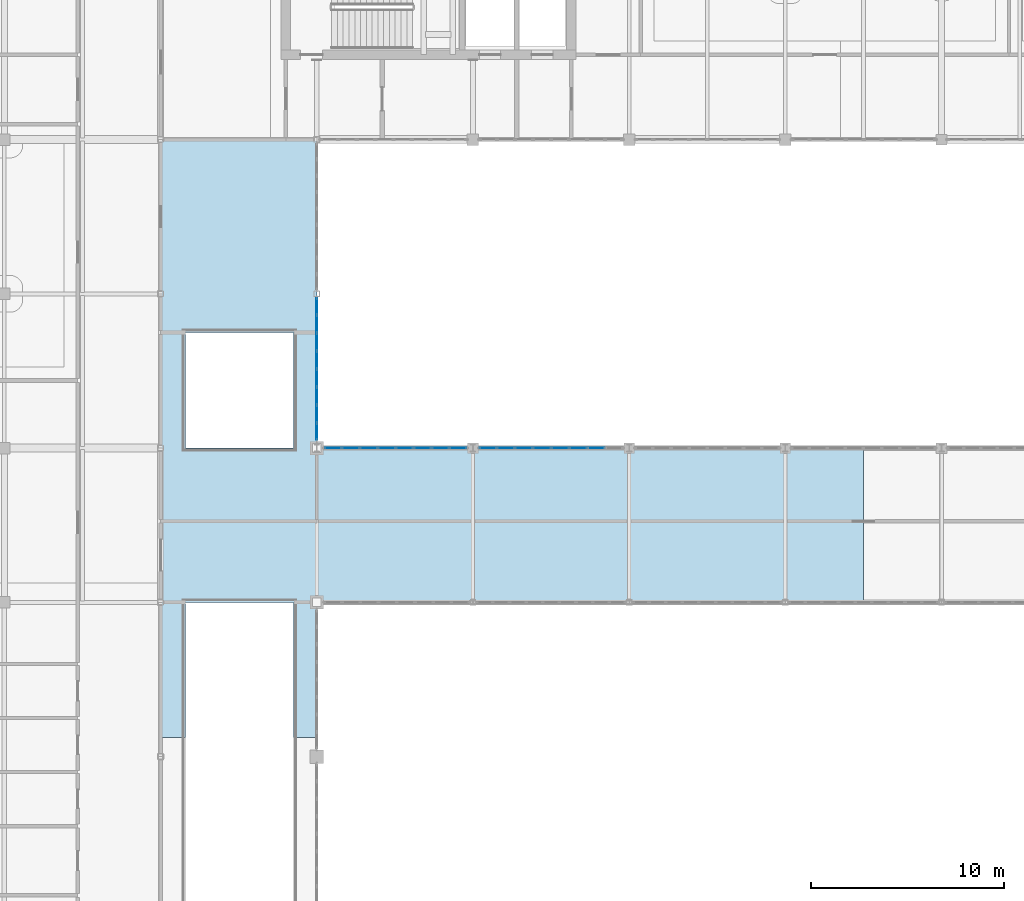
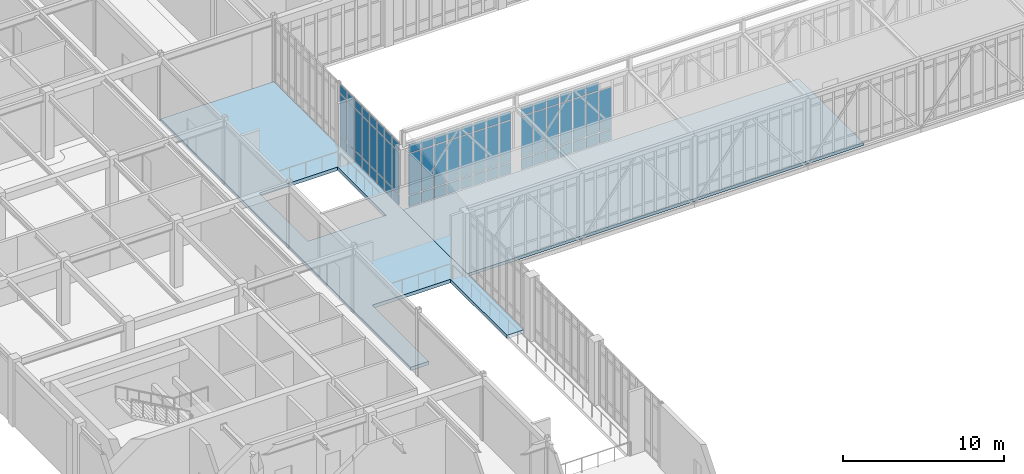
# One storey, part 73 of 107: 68 plates, 2 slabs, 3 elements without a shape of their own.
"""IFC4 building model written with IfcOpenShell, lengths in metres."""

from ifc_helpers import new_model, si_unit, direction, frame, origin, origin_2d, place, context, subcontext, project, spatial, polyline, rectangle, outline, extrude, material, layer, layer_set, type_object, element, aggregate, save


model = new_model("IFC4")

# Units and contexts
model_context = context("Model", 3, precision=1e-05, world=origin(), true_north=direction((0.0, 1.0)))
body_context = subcontext(model_context, "Body", "Model", "MODEL_VIEW")
ifc_project = project(units=[si_unit("LENGTHUNIT", "METRE"), si_unit("AREAUNIT", "SQUARE_METRE"), si_unit("VOLUMEUNIT", "CUBIC_METRE"), si_unit("PLANEANGLEUNIT", "RADIAN"), si_unit("MASSUNIT", "GRAM", prefix="KILO")], contexts=[model_context])

# Site, building, storey
site_placement = place(None, origin())
site = spatial("IfcSite", under=ifc_project, at=site_placement, CompositionType="ELEMENT")
building_placement = place(site_placement, origin())
building = spatial("IfcBuilding", under=site, at=building_placement, Name="Tarnveldt Square Police Headquarters", CompositionType="ELEMENT")
storey_placement = place(building_placement, frame((0.0, 0.0, 14.699951171875)))
storey = spatial("IfcBuildingStorey", under=building, at=storey_placement, Name="L03", CompositionType="ELEMENT", Elevation=14.699951171875)

# Curtain wall, plates
ifc_material_1 = material(Name="Triple-glazed low-e laminated vision glass", Category="glass")
curtain_wall_type_1 = type_object("IfcCurtainWallType", Name="CW-WG-747x484", PredefinedType="USERDEFINED", material=ifc_material_1)
curtain_wall_1_placement = place(storey_placement, origin())
curtain_wall_1 = element("IfcCurtainWall", 1, at=curtain_wall_1_placement, inside=storey, type_object=curtain_wall_type_1, Name="L03 Curtain Wall CW-L03-081", ObjectType="GLAZED CURTAIN WALL", PredefinedType="USERDEFINED")
ifc_layer_1 = layer(ifc_material_1, 0.028076171875)
ifc_layer_set_1 = layer_set([ifc_layer_1], Name="Triple-glazed low-e laminated vision glass")
plate_type = type_object("IfcPlateType", Name="CWP-VIS-28", PredefinedType="CURTAIN_PANEL", material=ifc_layer_set_1)
plate_1_placement = place(storey_placement, frame((48.60009765625, 80.8505859375, 0.074951171875), z_axis=(0.0, 0.0, 1.0), x_axis=(0.0, 1.0, 0.0)))
plate_1 = element("IfcPlate", 2, at=plate_1_placement, type_object=plate_type, Name="CW-WG38 panel 1.1", PredefinedType="CURTAIN_PANEL", context=body_context, shape_type="SweptSolid", body=[
    extrude(rectangle(XDim=0.821044921875, YDim=0.028076171875, at=origin_2d()), origin(), (0.0, 0.0, 1.0), 0.78759765625),
])
plate_2_placement = place(storey_placement, frame((48.60009765625, 80.8505859375, 0.9375), z_axis=(0.0, 0.0, 1.0), x_axis=(0.0, 1.0, 0.0)))
plate_2 = element("IfcPlate", 3, at=plate_2_placement, type_object=plate_type, Name="CW-WG38 panel 1.2", PredefinedType="CURTAIN_PANEL", context=body_context, shape_type="SweptSolid", body=[
    extrude(rectangle(XDim=0.821044921875, YDim=0.028076171875, at=origin_2d()), origin(), (0.0, 0.0, 1.0), 3.114990234375),
])
plate_3_placement = place(storey_placement, frame((48.60009765625, 80.8505859375, 4.12744140625), z_axis=(0.0, 0.0, 1.0), x_axis=(0.0, 1.0, 0.0)))
plate_3 = element("IfcPlate", 4, at=plate_3_placement, type_object=plate_type, Name="CW-WG38 panel 1.3", PredefinedType="CURTAIN_PANEL", context=body_context, shape_type="SweptSolid", body=[
    extrude(rectangle(XDim=0.821044921875, YDim=0.028076171875, at=origin_2d()), origin(), (0.0, 0.0, 1.0), 0.637451171875),
])
plate_4_placement = place(storey_placement, frame((48.60009765625, 81.76513671875, 0.074951171875), z_axis=(0.0, 0.0, 1.0), x_axis=(0.0, 1.0, 0.0)))
plate_4 = element("IfcPlate", 5, at=plate_4_placement, type_object=plate_type, Name="CW-WG38 panel 2.1", PredefinedType="CURTAIN_PANEL", context=body_context, shape_type="SweptSolid", body=[
    extrude(rectangle(XDim=0.8583984375, YDim=0.028076171875, at=origin_2d()), origin(), (0.0, 0.0, 1.0), 0.78759765625),
])
plate_5_placement = place(storey_placement, frame((48.60009765625, 81.76513671875, 0.9375), z_axis=(0.0, 0.0, 1.0), x_axis=(0.0, 1.0, 0.0)))
plate_5 = element("IfcPlate", 6, at=plate_5_placement, type_object=plate_type, Name="CW-WG38 panel 2.2", PredefinedType="CURTAIN_PANEL", context=body_context, shape_type="SweptSolid", body=[
    extrude(rectangle(XDim=0.8583984375, YDim=0.028076171875, at=origin_2d()), origin(), (0.0, 0.0, 1.0), 3.114990234375),
])
plate_6_placement = place(storey_placement, frame((48.60009765625, 81.76513671875, 4.12744140625), z_axis=(0.0, 0.0, 1.0), x_axis=(0.0, 1.0, 0.0)))
plate_6 = element("IfcPlate", 7, at=plate_6_placement, type_object=plate_type, Name="CW-WG38 panel 2.3", PredefinedType="CURTAIN_PANEL", context=body_context, shape_type="SweptSolid", body=[
    extrude(rectangle(XDim=0.8583984375, YDim=0.028076171875, at=origin_2d()), origin(), (0.0, 0.0, 1.0), 0.637451171875),
])
plate_7_placement = place(storey_placement, frame((48.60009765625, 82.69873046875, 0.074951171875), z_axis=(0.0, 0.0, 1.0), x_axis=(0.0, 1.0, 0.0)))
plate_7 = element("IfcPlate", 8, at=plate_7_placement, type_object=plate_type, Name="CW-WG38 panel 3.1", PredefinedType="CURTAIN_PANEL", context=body_context, shape_type="SweptSolid", body=[
    extrude(rectangle(XDim=0.8583984375, YDim=0.028076171875, at=origin_2d()), origin(), (0.0, 0.0, 1.0), 0.78759765625),
])
plate_8_placement = place(storey_placement, frame((48.60009765625, 82.69873046875, 0.9375), z_axis=(0.0, 0.0, 1.0), x_axis=(0.0, 1.0, 0.0)))
plate_8 = element("IfcPlate", 9, at=plate_8_placement, type_object=plate_type, Name="CW-WG38 panel 3.2", PredefinedType="CURTAIN_PANEL", context=body_context, shape_type="SweptSolid", body=[
    extrude(rectangle(XDim=0.8583984375, YDim=0.028076171875, at=origin_2d()), origin(), (0.0, 0.0, 1.0), 3.114990234375),
])
plate_9_placement = place(storey_placement, frame((48.60009765625, 82.69873046875, 4.12744140625), z_axis=(0.0, 0.0, 1.0), x_axis=(0.0, 1.0, 0.0)))
plate_9 = element("IfcPlate", 10, at=plate_9_placement, type_object=plate_type, Name="CW-WG38 panel 3.3", PredefinedType="CURTAIN_PANEL", context=body_context, shape_type="SweptSolid", body=[
    extrude(rectangle(XDim=0.8583984375, YDim=0.028076171875, at=origin_2d()), origin(), (0.0, 0.0, 1.0), 0.637451171875),
])
plate_10_placement = place(storey_placement, frame((48.60009765625, 83.632080078125, 0.074951171875), z_axis=(0.0, 0.0, 1.0), x_axis=(0.0, 1.0, 0.0)))
plate_10 = element("IfcPlate", 11, at=plate_10_placement, type_object=plate_type, Name="CW-WG38 panel 4.1", PredefinedType="CURTAIN_PANEL", context=body_context, shape_type="SweptSolid", body=[
    extrude(rectangle(XDim=0.8583984375, YDim=0.028076171875, at=origin_2d()), origin(), (0.0, 0.0, 1.0), 0.78759765625),
])
plate_11_placement = place(storey_placement, frame((48.60009765625, 83.632080078125, 0.9375), z_axis=(0.0, 0.0, 1.0), x_axis=(0.0, 1.0, 0.0)))
plate_11 = element("IfcPlate", 12, at=plate_11_placement, type_object=plate_type, Name="CW-WG38 panel 4.2", PredefinedType="CURTAIN_PANEL", context=body_context, shape_type="SweptSolid", body=[
    extrude(rectangle(XDim=0.8583984375, YDim=0.028076171875, at=origin_2d()), origin(), (0.0, 0.0, 1.0), 3.114990234375),
])
plate_12_placement = place(storey_placement, frame((48.60009765625, 83.632080078125, 4.12744140625), z_axis=(0.0, 0.0, 1.0), x_axis=(0.0, 1.0, 0.0)))
plate_12 = element("IfcPlate", 13, at=plate_12_placement, type_object=plate_type, Name="CW-WG38 panel 4.3", PredefinedType="CURTAIN_PANEL", context=body_context, shape_type="SweptSolid", body=[
    extrude(rectangle(XDim=0.8583984375, YDim=0.028076171875, at=origin_2d()), origin(), (0.0, 0.0, 1.0), 0.637451171875),
])
plate_13_placement = place(storey_placement, frame((48.60009765625, 84.5654296875, 0.074951171875), z_axis=(0.0, 0.0, 1.0), x_axis=(0.0, 1.0, 0.0)))
plate_13 = element("IfcPlate", 14, at=plate_13_placement, type_object=plate_type, Name="CW-WG38 panel 5.1", PredefinedType="CURTAIN_PANEL", context=body_context, shape_type="SweptSolid", body=[
    extrude(rectangle(XDim=0.8583984375, YDim=0.028076171875, at=origin_2d()), origin(), (0.0, 0.0, 1.0), 0.78759765625),
])
plate_14_placement = place(storey_placement, frame((48.60009765625, 84.5654296875, 0.9375), z_axis=(0.0, 0.0, 1.0), x_axis=(0.0, 1.0, 0.0)))
plate_14 = element("IfcPlate", 15, at=plate_14_placement, type_object=plate_type, Name="CW-WG38 panel 5.2", PredefinedType="CURTAIN_PANEL", context=body_context, shape_type="SweptSolid", body=[
    extrude(rectangle(XDim=0.8583984375, YDim=0.028076171875, at=origin_2d()), origin(), (0.0, 0.0, 1.0), 3.114990234375),
])
plate_15_placement = place(storey_placement, frame((48.60009765625, 84.5654296875, 4.12744140625), z_axis=(0.0, 0.0, 1.0), x_axis=(0.0, 1.0, 0.0)))
plate_15 = element("IfcPlate", 16, at=plate_15_placement, type_object=plate_type, Name="CW-WG38 panel 5.3", PredefinedType="CURTAIN_PANEL", context=body_context, shape_type="SweptSolid", body=[
    extrude(rectangle(XDim=0.8583984375, YDim=0.028076171875, at=origin_2d()), origin(), (0.0, 0.0, 1.0), 0.637451171875),
])
plate_16_placement = place(storey_placement, frame((48.60009765625, 85.4990234375, 0.074951171875), z_axis=(0.0, 0.0, 1.0), x_axis=(0.0, 1.0, 0.0)))
plate_16 = element("IfcPlate", 17, at=plate_16_placement, type_object=plate_type, Name="CW-WG38 panel 6.1", PredefinedType="CURTAIN_PANEL", context=body_context, shape_type="SweptSolid", body=[
    extrude(rectangle(XDim=0.8583984375, YDim=0.028076171875, at=origin_2d()), origin(), (0.0, 0.0, 1.0), 0.78759765625),
])
plate_17_placement = place(storey_placement, frame((48.60009765625, 85.4990234375, 0.9375), z_axis=(0.0, 0.0, 1.0), x_axis=(0.0, 1.0, 0.0)))
plate_17 = element("IfcPlate", 18, at=plate_17_placement, type_object=plate_type, Name="CW-WG38 panel 6.2", PredefinedType="CURTAIN_PANEL", context=body_context, shape_type="SweptSolid", body=[
    extrude(rectangle(XDim=0.8583984375, YDim=0.028076171875, at=origin_2d()), origin(), (0.0, 0.0, 1.0), 3.114990234375),
])
plate_18_placement = place(storey_placement, frame((48.60009765625, 85.4990234375, 4.12744140625), z_axis=(0.0, 0.0, 1.0), x_axis=(0.0, 1.0, 0.0)))
plate_18 = element("IfcPlate", 19, at=plate_18_placement, type_object=plate_type, Name="CW-WG38 panel 6.3", PredefinedType="CURTAIN_PANEL", context=body_context, shape_type="SweptSolid", body=[
    extrude(rectangle(XDim=0.8583984375, YDim=0.028076171875, at=origin_2d()), origin(), (0.0, 0.0, 1.0), 0.637451171875),
])
plate_19_placement = place(storey_placement, frame((48.60009765625, 86.432373046875, 0.074951171875), z_axis=(0.0, 0.0, 1.0), x_axis=(0.0, 1.0, 0.0)))
plate_19 = element("IfcPlate", 20, at=plate_19_placement, type_object=plate_type, Name="CW-WG38 panel 7.1", PredefinedType="CURTAIN_PANEL", context=body_context, shape_type="SweptSolid", body=[
    extrude(rectangle(XDim=0.8583984375, YDim=0.028076171875, at=origin_2d()), origin(), (0.0, 0.0, 1.0), 0.78759765625),
])
plate_20_placement = place(storey_placement, frame((48.60009765625, 86.432373046875, 0.9375), z_axis=(0.0, 0.0, 1.0), x_axis=(0.0, 1.0, 0.0)))
plate_20 = element("IfcPlate", 21, at=plate_20_placement, type_object=plate_type, Name="CW-WG38 panel 7.2", PredefinedType="CURTAIN_PANEL", context=body_context, shape_type="SweptSolid", body=[
    extrude(rectangle(XDim=0.8583984375, YDim=0.028076171875, at=origin_2d()), origin(), (0.0, 0.0, 1.0), 3.114990234375),
])
plate_21_placement = place(storey_placement, frame((48.60009765625, 86.432373046875, 4.12744140625), z_axis=(0.0, 0.0, 1.0), x_axis=(0.0, 1.0, 0.0)))
plate_21 = element("IfcPlate", 22, at=plate_21_placement, type_object=plate_type, Name="CW-WG38 panel 7.3", PredefinedType="CURTAIN_PANEL", context=body_context, shape_type="SweptSolid", body=[
    extrude(rectangle(XDim=0.8583984375, YDim=0.028076171875, at=origin_2d()), origin(), (0.0, 0.0, 1.0), 0.637451171875),
])
plate_22_placement = place(storey_placement, frame((48.60009765625, 87.34716796875, 0.074951171875), z_axis=(0.0, 0.0, 1.0), x_axis=(0.0, 1.0, 0.0)))
plate_22 = element("IfcPlate", 23, at=plate_22_placement, type_object=plate_type, Name="CW-WG38 panel 8.1", PredefinedType="CURTAIN_PANEL", context=body_context, shape_type="SweptSolid", body=[
    extrude(rectangle(XDim=0.821044921875, YDim=0.028076171875, at=origin_2d()), origin(), (0.0, 0.0, 1.0), 0.78759765625),
])
plate_23_placement = place(storey_placement, frame((48.60009765625, 87.34716796875, 0.9375), z_axis=(0.0, 0.0, 1.0), x_axis=(0.0, 1.0, 0.0)))
plate_23 = element("IfcPlate", 24, at=plate_23_placement, type_object=plate_type, Name="CW-WG38 panel 8.2", PredefinedType="CURTAIN_PANEL", context=body_context, shape_type="SweptSolid", body=[
    extrude(rectangle(XDim=0.821044921875, YDim=0.028076171875, at=origin_2d()), origin(), (0.0, 0.0, 1.0), 3.114990234375),
])
plate_24_placement = place(storey_placement, frame((48.60009765625, 87.34716796875, 4.12744140625), z_axis=(0.0, 0.0, 1.0), x_axis=(0.0, 1.0, 0.0)))
plate_24 = element("IfcPlate", 25, at=plate_24_placement, type_object=plate_type, Name="CW-WG38 panel 8.3", PredefinedType="CURTAIN_PANEL", context=body_context, shape_type="SweptSolid", body=[
    extrude(rectangle(XDim=0.821044921875, YDim=0.028076171875, at=origin_2d()), origin(), (0.0, 0.0, 1.0), 0.637451171875),
])
aggregate(curtain_wall_1, [plate_1, plate_2, plate_3, plate_4, plate_5, plate_6, plate_7, plate_8, plate_9, plate_10, plate_11, plate_12, plate_13, plate_14, plate_15, plate_16, plate_17, plate_18, plate_19, plate_20, plate_21, plate_22, plate_23, plate_24])

curtain_wall_type_2 = type_object("IfcCurtainWallType", Name="CW-SB-744x484", PredefinedType="USERDEFINED", material=ifc_material_1)
curtain_wall_2_placement = place(storey_placement, origin())
curtain_wall_2 = element("IfcCurtainWall", 26, at=curtain_wall_2_placement, inside=storey, type_object=curtain_wall_type_2, Name="L03 Curtain Wall CW-L03-159", ObjectType="GLAZED CURTAIN WALL", PredefinedType="USERDEFINED")
plate_25_placement = place(storey_placement, frame((49.446533203125, 80.0, 0.06494140625), z_axis=(0.0, 0.0, 1.0), x_axis=(1.0, 0.0, 0.0)))
plate_25 = element("IfcPlate", 27, at=plate_25_placement, type_object=plate_type, Name="CW-SB94 panel 1.1", PredefinedType="CURTAIN_PANEL", context=body_context, shape_type="SweptSolid", body=[
    extrude(rectangle(XDim=0.8330078125, YDim=0.028076171875, at=origin_2d()), origin(), (0.0, 0.0, 1.0), 0.802490234375),
])
plate_26_placement = place(storey_placement, frame((49.446533203125, 80.0, 0.9326171875), z_axis=(0.0, 0.0, 1.0), x_axis=(1.0, 0.0, 0.0)))
plate_26 = element("IfcPlate", 28, at=plate_26_placement, type_object=plate_type, Name="CW-SB94 panel 1.2", PredefinedType="CURTAIN_PANEL", context=body_context, shape_type="SweptSolid", body=[
    extrude(rectangle(XDim=0.8330078125, YDim=0.028076171875, at=origin_2d()), origin(), (0.0, 0.0, 1.0), 3.125),
])
plate_27_placement = place(storey_placement, frame((49.446533203125, 80.0, 4.12255859375), z_axis=(0.0, 0.0, 1.0), x_axis=(1.0, 0.0, 0.0)))
plate_27 = element("IfcPlate", 29, at=plate_27_placement, type_object=plate_type, Name="CW-SB94 panel 1.3", PredefinedType="CURTAIN_PANEL", context=body_context, shape_type="SweptSolid", body=[
    extrude(rectangle(XDim=0.8330078125, YDim=0.028076171875, at=origin_2d()), origin(), (0.0, 0.0, 1.0), 0.652587890625),
])
plate_28_placement = place(storey_placement, frame((50.36083984375, 80.0, 0.06494140625), z_axis=(0.0, 0.0, 1.0), x_axis=(1.0, 0.0, 0.0)))
plate_28 = element("IfcPlate", 30, at=plate_28_placement, type_object=plate_type, Name="CW-SB94 panel 2.1", PredefinedType="CURTAIN_PANEL", context=body_context, shape_type="SweptSolid", body=[
    extrude(rectangle(XDim=0.86572265625, YDim=0.028076171875, at=origin_2d()), origin(), (0.0, 0.0, 1.0), 0.802490234375),
])
plate_29_placement = place(storey_placement, frame((50.36083984375, 80.0, 0.9326171875), z_axis=(0.0, 0.0, 1.0), x_axis=(1.0, 0.0, 0.0)))
plate_29 = element("IfcPlate", 31, at=plate_29_placement, type_object=plate_type, Name="CW-SB94 panel 2.2", PredefinedType="CURTAIN_PANEL", context=body_context, shape_type="SweptSolid", body=[
    extrude(rectangle(XDim=0.86572265625, YDim=0.028076171875, at=origin_2d()), origin(), (0.0, 0.0, 1.0), 3.125),
])
plate_30_placement = place(storey_placement, frame((50.36083984375, 80.0, 4.12255859375), z_axis=(0.0, 0.0, 1.0), x_axis=(1.0, 0.0, 0.0)))
plate_30 = element("IfcPlate", 32, at=plate_30_placement, type_object=plate_type, Name="CW-SB94 panel 2.3", PredefinedType="CURTAIN_PANEL", context=body_context, shape_type="SweptSolid", body=[
    extrude(rectangle(XDim=0.86572265625, YDim=0.028076171875, at=origin_2d()), origin(), (0.0, 0.0, 1.0), 0.652587890625),
])
plate_31_placement = place(storey_placement, frame((51.29150390625, 80.0, 0.06494140625), z_axis=(0.0, 0.0, 1.0), x_axis=(1.0, 0.0, 0.0)))
plate_31 = element("IfcPlate", 33, at=plate_31_placement, type_object=plate_type, Name="CW-SB94 panel 3.1", PredefinedType="CURTAIN_PANEL", context=body_context, shape_type="SweptSolid", body=[
    extrude(rectangle(XDim=0.86572265625, YDim=0.028076171875, at=origin_2d()), origin(), (0.0, 0.0, 1.0), 0.802490234375),
])
plate_32_placement = place(storey_placement, frame((51.29150390625, 80.0, 0.9326171875), z_axis=(0.0, 0.0, 1.0), x_axis=(1.0, 0.0, 0.0)))
plate_32 = element("IfcPlate", 34, at=plate_32_placement, type_object=plate_type, Name="CW-SB94 panel 3.2", PredefinedType="CURTAIN_PANEL", context=body_context, shape_type="SweptSolid", body=[
    extrude(rectangle(XDim=0.86572265625, YDim=0.028076171875, at=origin_2d()), origin(), (0.0, 0.0, 1.0), 3.125),
])
plate_33_placement = place(storey_placement, frame((51.29150390625, 80.0, 4.12255859375), z_axis=(0.0, 0.0, 1.0), x_axis=(1.0, 0.0, 0.0)))
plate_33 = element("IfcPlate", 35, at=plate_33_placement, type_object=plate_type, Name="CW-SB94 panel 3.3", PredefinedType="CURTAIN_PANEL", context=body_context, shape_type="SweptSolid", body=[
    extrude(rectangle(XDim=0.86572265625, YDim=0.028076171875, at=origin_2d()), origin(), (0.0, 0.0, 1.0), 0.652587890625),
])
plate_34_placement = place(storey_placement, frame((52.22216796875, 80.0, 0.06494140625), z_axis=(0.0, 0.0, 1.0), x_axis=(1.0, 0.0, 0.0)))
plate_34 = element("IfcPlate", 36, at=plate_34_placement, type_object=plate_type, Name="CW-SB94 panel 4.1", PredefinedType="CURTAIN_PANEL", context=body_context, shape_type="SweptSolid", body=[
    extrude(rectangle(XDim=0.86572265625, YDim=0.028076171875, at=origin_2d()), origin(), (0.0, 0.0, 1.0), 0.802490234375),
])
plate_35_placement = place(storey_placement, frame((52.22216796875, 80.0, 0.9326171875), z_axis=(0.0, 0.0, 1.0), x_axis=(1.0, 0.0, 0.0)))
plate_35 = element("IfcPlate", 37, at=plate_35_placement, type_object=plate_type, Name="CW-SB94 panel 4.2", PredefinedType="CURTAIN_PANEL", context=body_context, shape_type="SweptSolid", body=[
    extrude(rectangle(XDim=0.86572265625, YDim=0.028076171875, at=origin_2d()), origin(), (0.0, 0.0, 1.0), 3.125),
])
plate_36_placement = place(storey_placement, frame((52.22216796875, 80.0, 4.12255859375), z_axis=(0.0, 0.0, 1.0), x_axis=(1.0, 0.0, 0.0)))
plate_36 = element("IfcPlate", 38, at=plate_36_placement, type_object=plate_type, Name="CW-SB94 panel 4.3", PredefinedType="CURTAIN_PANEL", context=body_context, shape_type="SweptSolid", body=[
    extrude(rectangle(XDim=0.86572265625, YDim=0.028076171875, at=origin_2d()), origin(), (0.0, 0.0, 1.0), 0.652587890625),
])
plate_37_placement = place(storey_placement, frame((53.15283203125, 80.0, 0.06494140625), z_axis=(0.0, 0.0, 1.0), x_axis=(1.0, 0.0, 0.0)))
plate_37 = element("IfcPlate", 39, at=plate_37_placement, type_object=plate_type, Name="CW-SB94 panel 5.1", PredefinedType="CURTAIN_PANEL", context=body_context, shape_type="SweptSolid", body=[
    extrude(rectangle(XDim=0.86572265625, YDim=0.028076171875, at=origin_2d()), origin(), (0.0, 0.0, 1.0), 0.802490234375),
])
plate_38_placement = place(storey_placement, frame((53.15283203125, 80.0, 0.9326171875), z_axis=(0.0, 0.0, 1.0), x_axis=(1.0, 0.0, 0.0)))
plate_38 = element("IfcPlate", 40, at=plate_38_placement, type_object=plate_type, Name="CW-SB94 panel 5.2", PredefinedType="CURTAIN_PANEL", context=body_context, shape_type="SweptSolid", body=[
    extrude(rectangle(XDim=0.86572265625, YDim=0.028076171875, at=origin_2d()), origin(), (0.0, 0.0, 1.0), 3.125),
])
plate_39_placement = place(storey_placement, frame((53.15283203125, 80.0, 4.12255859375), z_axis=(0.0, 0.0, 1.0), x_axis=(1.0, 0.0, 0.0)))
plate_39 = element("IfcPlate", 41, at=plate_39_placement, type_object=plate_type, Name="CW-SB94 panel 5.3", PredefinedType="CURTAIN_PANEL", context=body_context, shape_type="SweptSolid", body=[
    extrude(rectangle(XDim=0.86572265625, YDim=0.028076171875, at=origin_2d()), origin(), (0.0, 0.0, 1.0), 0.652587890625),
])
plate_40_placement = place(storey_placement, frame((54.08349609375, 80.0, 0.06494140625), z_axis=(0.0, 0.0, 1.0), x_axis=(1.0, 0.0, 0.0)))
plate_40 = element("IfcPlate", 42, at=plate_40_placement, type_object=plate_type, Name="CW-SB94 panel 6.1", PredefinedType="CURTAIN_PANEL", context=body_context, shape_type="SweptSolid", body=[
    extrude(rectangle(XDim=0.86572265625, YDim=0.028076171875, at=origin_2d()), origin(), (0.0, 0.0, 1.0), 0.802490234375),
])
plate_41_placement = place(storey_placement, frame((54.08349609375, 80.0, 0.9326171875), z_axis=(0.0, 0.0, 1.0), x_axis=(1.0, 0.0, 0.0)))
plate_41 = element("IfcPlate", 43, at=plate_41_placement, type_object=plate_type, Name="CW-SB94 panel 6.2", PredefinedType="CURTAIN_PANEL", context=body_context, shape_type="SweptSolid", body=[
    extrude(rectangle(XDim=0.86572265625, YDim=0.028076171875, at=origin_2d()), origin(), (0.0, 0.0, 1.0), 3.125),
])
plate_42_placement = place(storey_placement, frame((54.08349609375, 80.0, 4.12255859375), z_axis=(0.0, 0.0, 1.0), x_axis=(1.0, 0.0, 0.0)))
plate_42 = element("IfcPlate", 44, at=plate_42_placement, type_object=plate_type, Name="CW-SB94 panel 6.3", PredefinedType="CURTAIN_PANEL", context=body_context, shape_type="SweptSolid", body=[
    extrude(rectangle(XDim=0.86572265625, YDim=0.028076171875, at=origin_2d()), origin(), (0.0, 0.0, 1.0), 0.652587890625),
])
plate_43_placement = place(storey_placement, frame((55.01416015625, 80.0, 0.06494140625), z_axis=(0.0, 0.0, 1.0), x_axis=(1.0, 0.0, 0.0)))
plate_43 = element("IfcPlate", 45, at=plate_43_placement, type_object=plate_type, Name="CW-SB94 panel 7.1", PredefinedType="CURTAIN_PANEL", context=body_context, shape_type="SweptSolid", body=[
    extrude(rectangle(XDim=0.86572265625, YDim=0.028076171875, at=origin_2d()), origin(), (0.0, 0.0, 1.0), 0.802490234375),
])
plate_44_placement = place(storey_placement, frame((55.01416015625, 80.0, 0.9326171875), z_axis=(0.0, 0.0, 1.0), x_axis=(1.0, 0.0, 0.0)))
plate_44 = element("IfcPlate", 46, at=plate_44_placement, type_object=plate_type, Name="CW-SB94 panel 7.2", PredefinedType="CURTAIN_PANEL", context=body_context, shape_type="SweptSolid", body=[
    extrude(rectangle(XDim=0.86572265625, YDim=0.028076171875, at=origin_2d()), origin(), (0.0, 0.0, 1.0), 3.125),
])
plate_45_placement = place(storey_placement, frame((55.01416015625, 80.0, 4.12255859375), z_axis=(0.0, 0.0, 1.0), x_axis=(1.0, 0.0, 0.0)))
plate_45 = element("IfcPlate", 47, at=plate_45_placement, type_object=plate_type, Name="CW-SB94 panel 7.3", PredefinedType="CURTAIN_PANEL", context=body_context, shape_type="SweptSolid", body=[
    extrude(rectangle(XDim=0.86572265625, YDim=0.028076171875, at=origin_2d()), origin(), (0.0, 0.0, 1.0), 0.652587890625),
])
plate_46_placement = place(storey_placement, frame((55.928466796875, 80.0, 0.06494140625), z_axis=(0.0, 0.0, 1.0), x_axis=(1.0, 0.0, 0.0)))
plate_46 = element("IfcPlate", 48, at=plate_46_placement, type_object=plate_type, Name="CW-SB94 panel 8.1", PredefinedType="CURTAIN_PANEL", context=body_context, shape_type="SweptSolid", body=[
    extrude(rectangle(XDim=0.8330078125, YDim=0.028076171875, at=origin_2d()), origin(), (0.0, 0.0, 1.0), 0.802490234375),
])
plate_47_placement = place(storey_placement, frame((55.928466796875, 80.0, 0.9326171875), z_axis=(0.0, 0.0, 1.0), x_axis=(1.0, 0.0, 0.0)))
plate_47 = element("IfcPlate", 49, at=plate_47_placement, type_object=plate_type, Name="CW-SB94 panel 8.2", PredefinedType="CURTAIN_PANEL", context=body_context, shape_type="SweptSolid", body=[
    extrude(rectangle(XDim=0.8330078125, YDim=0.028076171875, at=origin_2d()), origin(), (0.0, 0.0, 1.0), 3.125),
])
plate_48_placement = place(storey_placement, frame((55.928466796875, 80.0, 4.12255859375), z_axis=(0.0, 0.0, 1.0), x_axis=(1.0, 0.0, 0.0)))
plate_48 = element("IfcPlate", 50, at=plate_48_placement, type_object=plate_type, Name="CW-SB94 panel 8.3", PredefinedType="CURTAIN_PANEL", context=body_context, shape_type="SweptSolid", body=[
    extrude(rectangle(XDim=0.8330078125, YDim=0.028076171875, at=origin_2d()), origin(), (0.0, 0.0, 1.0), 0.652587890625),
])
aggregate(curtain_wall_2, [plate_25, plate_26, plate_27, plate_28, plate_29, plate_30, plate_31, plate_32, plate_33, plate_34, plate_35, plate_36, plate_37, plate_38, plate_39, plate_40, plate_41, plate_42, plate_43, plate_44, plate_45, plate_46, plate_47, plate_48])

curtain_wall_type_3 = type_object("IfcCurtainWallType", Name="CW-SB-752x484", PredefinedType="USERDEFINED", material=ifc_material_1)
curtain_wall_3_placement = place(storey_placement, origin())
curtain_wall_3 = element("IfcCurtainWall", 51, at=curtain_wall_3_placement, inside=storey, type_object=curtain_wall_type_3, Name="L03 Curtain Wall CW-L03-160", ObjectType="GLAZED CURTAIN WALL", PredefinedType="USERDEFINED")
plate_49_placement = place(storey_placement, frame((57.476318359375, 80.0, 0.06494140625), z_axis=(0.0, 0.0, 1.0), x_axis=(1.0, 0.0, 0.0)))
plate_49 = element("IfcPlate", 52, at=plate_49_placement, type_object=plate_type, Name="CW-SB95 panel 1.1", PredefinedType="CURTAIN_PANEL", context=body_context, shape_type="SweptSolid", body=[
    extrude(rectangle(XDim=0.842529296875, YDim=0.028076171875, at=origin_2d()), origin(), (0.0, 0.0, 1.0), 0.802490234375),
])
plate_50_placement = place(storey_placement, frame((57.476318359375, 80.0, 0.9326171875), z_axis=(0.0, 0.0, 1.0), x_axis=(1.0, 0.0, 0.0)))
plate_50 = element("IfcPlate", 53, at=plate_50_placement, type_object=plate_type, Name="CW-SB95 panel 1.2", PredefinedType="CURTAIN_PANEL", context=body_context, shape_type="SweptSolid", body=[
    extrude(rectangle(XDim=0.842529296875, YDim=0.028076171875, at=origin_2d()), origin(), (0.0, 0.0, 1.0), 3.125),
])
plate_51_placement = place(storey_placement, frame((57.476318359375, 80.0, 4.12255859375), z_axis=(0.0, 0.0, 1.0), x_axis=(1.0, 0.0, 0.0)))
plate_51 = element("IfcPlate", 54, at=plate_51_placement, type_object=plate_type, Name="CW-SB95 panel 1.3", PredefinedType="CURTAIN_PANEL", context=body_context, shape_type="SweptSolid", body=[
    extrude(rectangle(XDim=0.842529296875, YDim=0.028076171875, at=origin_2d()), origin(), (0.0, 0.0, 1.0), 0.652587890625),
])
plate_52_placement = place(storey_placement, frame((58.39990234375, 80.0, 0.06494140625), z_axis=(0.0, 0.0, 1.0), x_axis=(1.0, 0.0, 0.0)))
plate_52 = element("IfcPlate", 55, at=plate_52_placement, type_object=plate_type, Name="CW-SB95 panel 2.1", PredefinedType="CURTAIN_PANEL", context=body_context, shape_type="SweptSolid", body=[
    extrude(rectangle(XDim=0.875, YDim=0.028076171875, at=origin_2d()), origin(), (0.0, 0.0, 1.0), 0.802490234375),
])
plate_53_placement = place(storey_placement, frame((58.39990234375, 80.0, 0.9326171875), z_axis=(0.0, 0.0, 1.0), x_axis=(1.0, 0.0, 0.0)))
plate_53 = element("IfcPlate", 56, at=plate_53_placement, type_object=plate_type, Name="CW-SB95 panel 2.2", PredefinedType="CURTAIN_PANEL", context=body_context, shape_type="SweptSolid", body=[
    extrude(rectangle(XDim=0.875, YDim=0.028076171875, at=origin_2d()), origin(), (0.0, 0.0, 1.0), 3.125),
])
plate_54_placement = place(storey_placement, frame((58.39990234375, 80.0, 4.12255859375), z_axis=(0.0, 0.0, 1.0), x_axis=(1.0, 0.0, 0.0)))
plate_54 = element("IfcPlate", 57, at=plate_54_placement, type_object=plate_type, Name="CW-SB95 panel 2.3", PredefinedType="CURTAIN_PANEL", context=body_context, shape_type="SweptSolid", body=[
    extrude(rectangle(XDim=0.875, YDim=0.028076171875, at=origin_2d()), origin(), (0.0, 0.0, 1.0), 0.652587890625),
])
plate_55_placement = place(storey_placement, frame((59.340087890625, 80.0, 0.06494140625), z_axis=(0.0, 0.0, 1.0), x_axis=(1.0, 0.0, 0.0)))
plate_55 = element("IfcPlate", 58, at=plate_55_placement, type_object=plate_type, Name="CW-SB95 panel 3.1", PredefinedType="CURTAIN_PANEL", context=body_context, shape_type="SweptSolid", body=[
    extrude(rectangle(XDim=0.875, YDim=0.028076171875, at=origin_2d()), origin(), (0.0, 0.0, 1.0), 0.802490234375),
])
plate_56_placement = place(storey_placement, frame((59.340087890625, 80.0, 0.9326171875), z_axis=(0.0, 0.0, 1.0), x_axis=(1.0, 0.0, 0.0)))
plate_56 = element("IfcPlate", 59, at=plate_56_placement, type_object=plate_type, Name="CW-SB95 panel 3.2", PredefinedType="CURTAIN_PANEL", context=body_context, shape_type="SweptSolid", body=[
    extrude(rectangle(XDim=0.875, YDim=0.028076171875, at=origin_2d()), origin(), (0.0, 0.0, 1.0), 3.125),
])
plate_57_placement = place(storey_placement, frame((59.340087890625, 80.0, 4.12255859375), z_axis=(0.0, 0.0, 1.0), x_axis=(1.0, 0.0, 0.0)))
plate_57 = element("IfcPlate", 60, at=plate_57_placement, type_object=plate_type, Name="CW-SB95 panel 3.3", PredefinedType="CURTAIN_PANEL", context=body_context, shape_type="SweptSolid", body=[
    extrude(rectangle(XDim=0.875, YDim=0.028076171875, at=origin_2d()), origin(), (0.0, 0.0, 1.0), 0.652587890625),
])
plate_58_placement = place(storey_placement, frame((60.280029296875, 80.0, 0.06494140625), z_axis=(0.0, 0.0, 1.0), x_axis=(1.0, 0.0, 0.0)))
plate_58 = element("IfcPlate", 61, at=plate_58_placement, type_object=plate_type, Name="CW-SB95 panel 4.1", PredefinedType="CURTAIN_PANEL", context=body_context, shape_type="SweptSolid", body=[
    extrude(rectangle(XDim=0.875, YDim=0.028076171875, at=origin_2d()), origin(), (0.0, 0.0, 1.0), 0.802490234375),
])
plate_59_placement = place(storey_placement, frame((60.280029296875, 80.0, 0.9326171875), z_axis=(0.0, 0.0, 1.0), x_axis=(1.0, 0.0, 0.0)))
plate_59 = element("IfcPlate", 62, at=plate_59_placement, type_object=plate_type, Name="CW-SB95 panel 4.2", PredefinedType="CURTAIN_PANEL", context=body_context, shape_type="SweptSolid", body=[
    extrude(rectangle(XDim=0.875, YDim=0.028076171875, at=origin_2d()), origin(), (0.0, 0.0, 1.0), 3.125),
])
plate_60_placement = place(storey_placement, frame((60.280029296875, 80.0, 4.12255859375), z_axis=(0.0, 0.0, 1.0), x_axis=(1.0, 0.0, 0.0)))
plate_60 = element("IfcPlate", 63, at=plate_60_placement, type_object=plate_type, Name="CW-SB95 panel 4.3", PredefinedType="CURTAIN_PANEL", context=body_context, shape_type="SweptSolid", body=[
    extrude(rectangle(XDim=0.875, YDim=0.028076171875, at=origin_2d()), origin(), (0.0, 0.0, 1.0), 0.652587890625),
])
plate_61_placement = place(storey_placement, frame((61.219970703125, 80.0, 0.06494140625), z_axis=(0.0, 0.0, 1.0), x_axis=(1.0, 0.0, 0.0)))
plate_61 = element("IfcPlate", 64, at=plate_61_placement, type_object=plate_type, Name="CW-SB95 panel 5.1", PredefinedType="CURTAIN_PANEL", context=body_context, shape_type="SweptSolid", body=[
    extrude(rectangle(XDim=0.875, YDim=0.028076171875, at=origin_2d()), origin(), (0.0, 0.0, 1.0), 0.802490234375),
])
plate_62_placement = place(storey_placement, frame((61.219970703125, 80.0, 0.9326171875), z_axis=(0.0, 0.0, 1.0), x_axis=(1.0, 0.0, 0.0)))
plate_62 = element("IfcPlate", 65, at=plate_62_placement, type_object=plate_type, Name="CW-SB95 panel 5.2", PredefinedType="CURTAIN_PANEL", context=body_context, shape_type="SweptSolid", body=[
    extrude(rectangle(XDim=0.875, YDim=0.028076171875, at=origin_2d()), origin(), (0.0, 0.0, 1.0), 3.125),
])
plate_63_placement = place(storey_placement, frame((61.219970703125, 80.0, 4.12255859375), z_axis=(0.0, 0.0, 1.0), x_axis=(1.0, 0.0, 0.0)))
plate_63 = element("IfcPlate", 66, at=plate_63_placement, type_object=plate_type, Name="CW-SB95 panel 5.3", PredefinedType="CURTAIN_PANEL", context=body_context, shape_type="SweptSolid", body=[
    extrude(rectangle(XDim=0.875, YDim=0.028076171875, at=origin_2d()), origin(), (0.0, 0.0, 1.0), 0.652587890625),
])
plate_64_placement = place(storey_placement, frame((62.159912109375, 80.0, 0.06494140625), z_axis=(0.0, 0.0, 1.0), x_axis=(1.0, 0.0, 0.0)))
plate_64 = element("IfcPlate", 67, at=plate_64_placement, type_object=plate_type, Name="CW-SB95 panel 6.1", PredefinedType="CURTAIN_PANEL", context=body_context, shape_type="SweptSolid", body=[
    extrude(rectangle(XDim=0.875, YDim=0.028076171875, at=origin_2d()), origin(), (0.0, 0.0, 1.0), 0.802490234375),
])
plate_65_placement = place(storey_placement, frame((62.159912109375, 80.0, 0.9326171875), z_axis=(0.0, 0.0, 1.0), x_axis=(1.0, 0.0, 0.0)))
plate_65 = element("IfcPlate", 68, at=plate_65_placement, type_object=plate_type, Name="CW-SB95 panel 6.2", PredefinedType="CURTAIN_PANEL", context=body_context, shape_type="SweptSolid", body=[
    extrude(rectangle(XDim=0.875, YDim=0.028076171875, at=origin_2d()), origin(), (0.0, 0.0, 1.0), 3.125),
])
plate_66_placement = place(storey_placement, frame((62.159912109375, 80.0, 4.12255859375), z_axis=(0.0, 0.0, 1.0), x_axis=(1.0, 0.0, 0.0)))
plate_66 = element("IfcPlate", 69, at=plate_66_placement, type_object=plate_type, Name="CW-SB95 panel 6.3", PredefinedType="CURTAIN_PANEL", context=body_context, shape_type="SweptSolid", body=[
    extrude(rectangle(XDim=0.875, YDim=0.028076171875, at=origin_2d()), origin(), (0.0, 0.0, 1.0), 0.652587890625),
])
plate_67_placement = place(storey_placement, frame((63.10009765625, 80.0, 0.06494140625), z_axis=(0.0, 0.0, 1.0), x_axis=(1.0, 0.0, 0.0)))
plate_67 = element("IfcPlate", 70, at=plate_67_placement, type_object=plate_type, Name="CW-SB95 panel 7.1", PredefinedType="CURTAIN_PANEL", context=body_context, shape_type="SweptSolid", body=[
    extrude(rectangle(XDim=0.875, YDim=0.028076171875, at=origin_2d()), origin(), (0.0, 0.0, 1.0), 0.802490234375),
])
plate_68_placement = place(storey_placement, frame((63.10009765625, 80.0, 0.9326171875), z_axis=(0.0, 0.0, 1.0), x_axis=(1.0, 0.0, 0.0)))
plate_68 = element("IfcPlate", 71, at=plate_68_placement, type_object=plate_type, Name="CW-SB95 panel 7.2", PredefinedType="CURTAIN_PANEL", context=body_context, shape_type="SweptSolid", body=[
    extrude(rectangle(XDim=0.875, YDim=0.028076171875, at=origin_2d()), origin(), (0.0, 0.0, 1.0), 3.125),
])
aggregate(curtain_wall_3, [plate_49, plate_50, plate_51, plate_52, plate_53, plate_54, plate_55, plate_56, plate_57, plate_58, plate_59, plate_60, plate_61, plate_62, plate_63, plate_64, plate_65, plate_66, plate_67, plate_68])

# Slabs
ifc_material_2 = material(Name="Concrete 40 MPa", Category="concrete")
ifc_layer_2 = layer(ifc_material_2, 0.260009765625)
ifc_layer_set_2 = layer_set([ifc_layer_2], Name="Concrete 40 MPa")
slab_type_1 = type_object("IfcSlabType", Name="SL-MID-260", PredefinedType="FLOOR", material=ifc_layer_set_2)
slab_1_placement = place(storey_placement, frame((0.0, 0.0, -0.260009765625)))
element("IfcSlab", 72, at=slab_1_placement, inside=storey, type_object=slab_type_1, Name="L03 Structural Floor Slab L03-WG-2", PredefinedType="FLOOR", context=body_context, shape_type="SweptSolid", body=[
    extrude(outline(polyline([(40.5, 96.0), (46.199951171875, 96.0), (48.60009765625, 96.0), (48.60009765625, 65.0), (47.39990234375, 65.0), (47.39990234375, 72.0), (41.800048828125, 72.0), (41.800048828125, 65.0), (40.5, 65.0), (40.5, 96.0)]), holes=[polyline([(41.800048828125, 86.0), (41.800048828125, 80.0), (47.39990234375, 80.0), (47.39990234375, 86.0), (41.800048828125, 86.0)])]), origin(), (0.0, 0.0, 1.0), 0.260009765625),
])
ifc_layer_3 = layer(ifc_material_2, 0.219970703125)
ifc_layer_set_3 = layer_set([ifc_layer_3], Name="Concrete 40 MPa")
slab_type_2 = type_object("IfcSlabType", Name="SL-SKY-220", PredefinedType="FLOOR", material=ifc_layer_set_3)
slab_2_placement = place(storey_placement, frame((0.0, 0.0, -0.219970703125)))
element("IfcSlab", 73, at=slab_2_placement, inside=storey, type_object=slab_type_2, Name="L03 Structural Floor Slab L03-SBN-1", PredefinedType="FLOOR", context=body_context, shape_type="SweptSolid", body=[
    extrude(outline(polyline([(48.60009765625, 80.0), (76.949951171875, 80.0), (76.949951171875, 72.0), (48.60009765625, 72.0), (48.60009765625, 80.0)])), origin(), (0.0, 0.0, 1.0), 0.219970703125),
])

save(model, "model.ifc")
